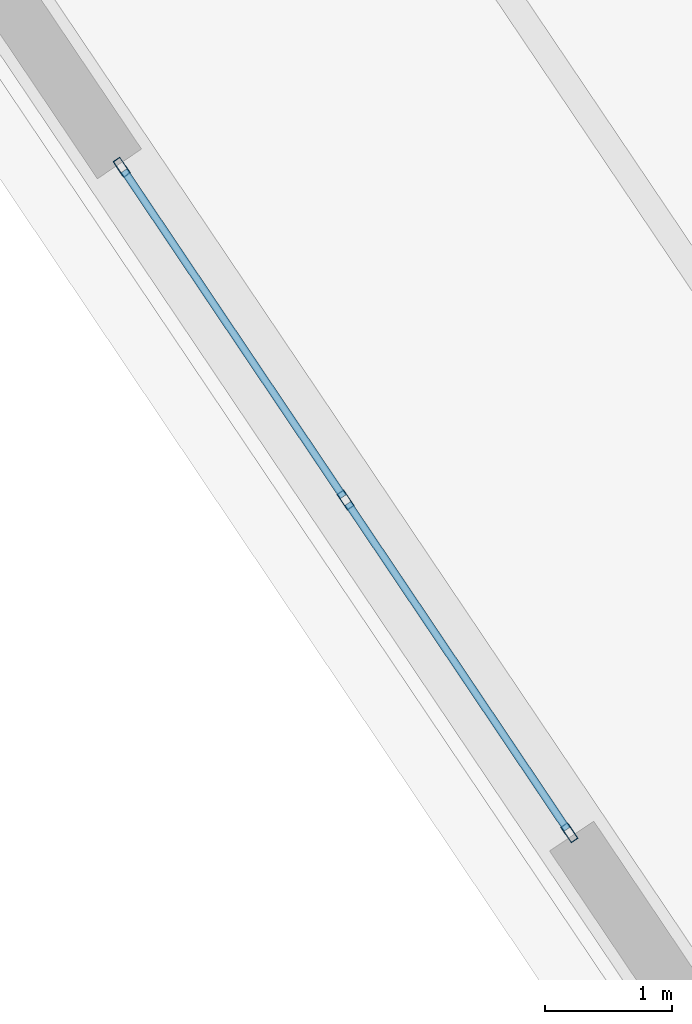
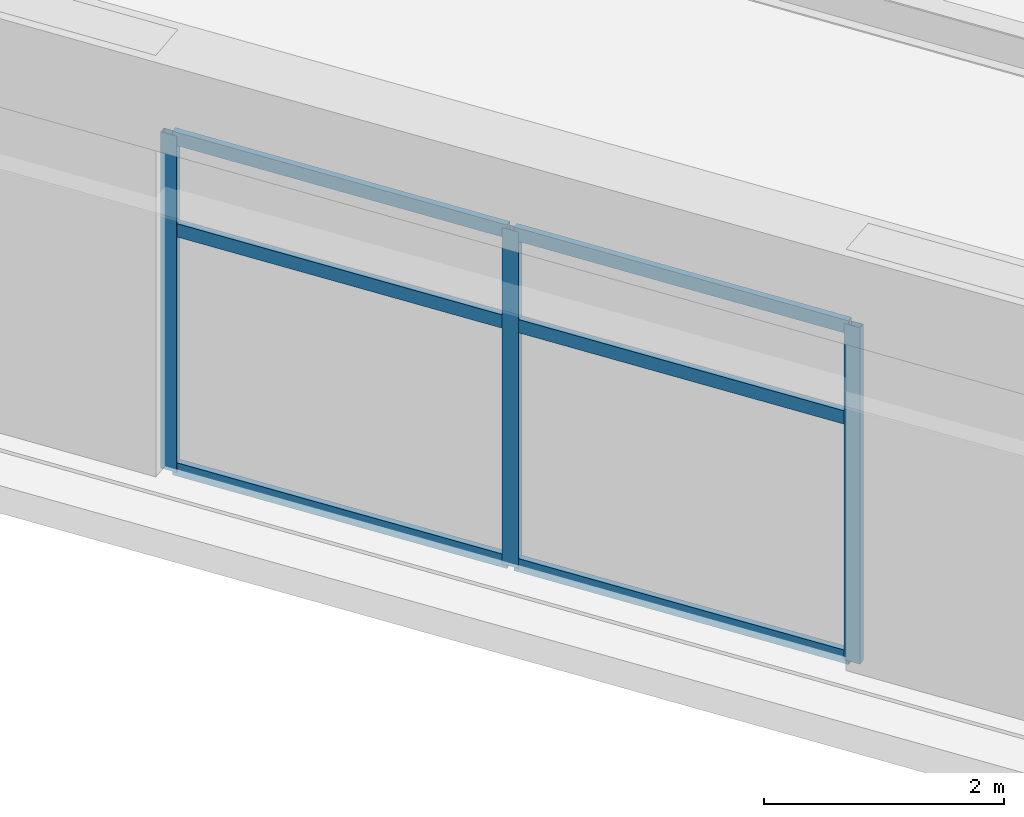
# One storey, part 2 of 30: 9 members, 1 element without a shape of its own.
"""IFC4 building model written with IfcOpenShell, lengths in metres."""

from ifc_helpers import new_model, si_unit, direction, frame, origin, origin_2d, place, context, subcontext, project, spatial, hollow_rectangle, extrude, source, transform, mapped, material, layer, layer_set, material_profile, profile_set, type_object, element, aggregate, save


model = new_model("IFC4")

# Units and contexts
model_context = context("Model", 3, precision=1e-05, world=origin(), true_north=direction((0.0, 1.0)))
body_context = subcontext(model_context, "Body", "Model", "MODEL_VIEW")
ifc_project = project(units=[si_unit("LENGTHUNIT", "METRE"), si_unit("AREAUNIT", "SQUARE_METRE"), si_unit("VOLUMEUNIT", "CUBIC_METRE"), si_unit("PLANEANGLEUNIT", "RADIAN"), si_unit("MASSUNIT", "GRAM", prefix="KILO")], contexts=[model_context])

# Site, building, storey
site_placement = place(None, origin())
site = spatial("IfcSite", under=ifc_project, at=site_placement, CompositionType="ELEMENT")
building_placement = place(site_placement, origin())
building = spatial("IfcBuilding", under=site, at=building_placement, Name="Liaohun Quay Tower", CompositionType="ELEMENT")
storey_placement = place(building_placement, frame((0.0, 0.0, 97.5)))
storey = spatial("IfcBuildingStorey", under=building, at=storey_placement, Name="L25", CompositionType="ELEMENT", Elevation=97.5)

# Curtain wall, members
ifc_material_1 = material(Name="Low-rise sky-lobby belvedere curtain wall")
ifc_layer = layer(ifc_material_1, 0.199951171875, Name="Low-rise sky-lobby belvedere curtain wall")
ifc_layer_set = layer_set([ifc_layer], Name="Low-rise sky-lobby belvedere curtain wall")
curtain_wall_type = type_object("IfcCurtainWallType", Name="CW-SKY-L25", PredefinedType="NOTDEFINED", material=ifc_layer_set)
curtain_wall_placement = place(storey_placement, origin())
curtain_wall = element("IfcCurtainWall", 1, at=curtain_wall_placement, inside=storey, type_object=curtain_wall_type, Name="L25 Panoramic Belvedere Curtain Wall 06", PredefinedType="NOTDEFINED")
ifc_material_2 = material(Name="Anodised aluminium 6063-T6", Category="aluminium")
ifc_material_profile_1 = material_profile(ifc_material_2, hollow_rectangle(XDim=0.06494140625, YDim=0.14990234375, WallThickness=0.00390625, at=origin_2d()), Name="RHS150x65x4")
ifc_profile_set_1 = profile_set([ifc_material_profile_1], Name="Anodised aluminium 6063-T6")
member_type_1 = type_object("IfcMemberType", Name="MEM-CWM-SKY", PredefinedType="MULLION", material=ifc_profile_set_1)
shared_shape_1 = source(origin(), body_context, "Body", "SweptSolid", [
    extrude(hollow_rectangle(XDim=0.06494140625, YDim=0.14990234375, WallThickness=0.00390625, at=origin_2d()), origin(), (0.0, 0.0, 1.0), 3.419921875),
])
member_1_placement = place(storey_placement, frame((44.22216796875, 28.94091796875, 0.0), z_axis=(0.0, 0.0, 1.0), x_axis=(0.829711586011, 0.558192336063, 0.0)))
member_1 = element("IfcMember", 2, at=member_1_placement, type_object=member_type_1, Name="CW3 mullion 1", PredefinedType="MULLION", context=body_context, shape_type="MappedRepresentation", body=[
    mapped(shared_shape_1, transform((0.0, 0.0, 0.0), x_axis=(1.0, 0.0, 0.0), y_axis=(0.0, 1.0, 0.0), z_axis=(0.0, 0.0, 1.0), scale=1.0)),
])
member_2_placement = place(storey_placement, frame((45.990478515625, 26.3125, 0.0), z_axis=(0.0, 0.0, 1.0), x_axis=(0.829711586011, 0.558192336063, 0.0)))
member_2 = element("IfcMember", 3, at=member_2_placement, type_object=member_type_1, Name="CW3 mullion 2", PredefinedType="MULLION", context=body_context, shape_type="MappedRepresentation", body=[
    mapped(shared_shape_1, transform((0.0, 0.0, 0.0), x_axis=(1.0, 0.0, 0.0), y_axis=(0.0, 1.0, 0.0), z_axis=(0.0, 0.0, 1.0), scale=1.0)),
])
member_3_placement = place(storey_placement, frame((47.7587890625, 23.68408203125, 0.0), z_axis=(0.0, 0.0, 1.0), x_axis=(0.829711586011, 0.558192336063, 0.0)))
member_3 = element("IfcMember", 4, at=member_3_placement, type_object=member_type_1, Name="CW3 mullion 3", PredefinedType="MULLION", context=body_context, shape_type="MappedRepresentation", body=[
    mapped(shared_shape_1, transform((0.0, 0.0, 0.0), x_axis=(1.0, 0.0, 0.0), y_axis=(0.0, 1.0, 0.0), z_axis=(0.0, 0.0, 1.0), scale=1.0)),
])
ifc_material_profile_2 = material_profile(ifc_material_2, hollow_rectangle(XDim=0.06005859375, YDim=0.135009765625, WallThickness=0.00390625, at=origin_2d()), Name="RHS135x60x4")
ifc_profile_set_2 = profile_set([ifc_material_profile_2], Name="Anodised aluminium 6063-T6")
member_type_2 = type_object("IfcMemberType", Name="MEM-CWT-SKY", PredefinedType="USERDEFINED", material=ifc_profile_set_2)
shared_shape_2 = source(origin(), body_context, "Body", "SweptSolid", [
    extrude(hollow_rectangle(XDim=0.06005859375, YDim=0.135009765625, WallThickness=0.00390625, at=origin_2d()), origin(), (0.0, 0.0, 1.0), 3.103271484375),
])
member_4_placement = place(storey_placement, frame((44.240234375, 28.9140625, 0.030029296875), z_axis=(0.558199342066, -0.829706872647, 0.0), x_axis=(0.829706872647, 0.558199342066, 0.0)))
member_4 = element("IfcMember", 5, at=member_4_placement, type_object=member_type_2, Name="CW3 transom 1.1", ObjectType="TRANSOM", PredefinedType="USERDEFINED", context=body_context, shape_type="MappedRepresentation", body=[
    mapped(shared_shape_2, transform((0.0, 0.0, 0.0), x_axis=(1.0, 0.0, 0.0), y_axis=(0.0, 1.0, 0.0), z_axis=(0.0, 0.0, 1.0), scale=1.0)),
])
member_5_placement = place(storey_placement, frame((44.240234375, 28.9140625, 2.4619140625), z_axis=(0.558199342066, -0.829706872647, 0.0), x_axis=(0.829706872647, 0.558199342066, 0.0)))
member_5 = element("IfcMember", 6, at=member_5_placement, type_object=member_type_2, Name="CW3 transom 1.2", ObjectType="TRANSOM", PredefinedType="USERDEFINED", context=body_context, shape_type="MappedRepresentation", body=[
    mapped(shared_shape_2, transform((0.0, 0.0, 0.0), x_axis=(1.0, 0.0, 0.0), y_axis=(0.0, 1.0, 0.0), z_axis=(0.0, 0.0, 1.0), scale=1.0)),
])
member_6_placement = place(storey_placement, frame((44.240234375, 28.9140625, 3.389892578125), z_axis=(0.558199342066, -0.829706872647, 0.0), x_axis=(0.829706872647, 0.558199342066, 0.0)))
member_6 = element("IfcMember", 7, at=member_6_placement, type_object=member_type_2, Name="CW3 transom 1.3", ObjectType="TRANSOM", PredefinedType="USERDEFINED", context=body_context, shape_type="MappedRepresentation", body=[
    mapped(shared_shape_2, transform((0.0, 0.0, 0.0), x_axis=(1.0, 0.0, 0.0), y_axis=(0.0, 1.0, 0.0), z_axis=(0.0, 0.0, 1.0), scale=1.0)),
])
member_7_placement = place(storey_placement, frame((46.008544921875, 26.28564453125, 0.030029296875), z_axis=(0.558199342066, -0.829706872647, 0.0), x_axis=(0.829706872647, 0.558199342066, 0.0)))
member_7 = element("IfcMember", 8, at=member_7_placement, type_object=member_type_2, Name="CW3 transom 2.1", ObjectType="TRANSOM", PredefinedType="USERDEFINED", context=body_context, shape_type="MappedRepresentation", body=[
    mapped(shared_shape_2, transform((0.0, 0.0, 0.0), x_axis=(1.0, 0.0, 0.0), y_axis=(0.0, 1.0, 0.0), z_axis=(0.0, 0.0, 1.0), scale=1.0)),
])
member_8_placement = place(storey_placement, frame((46.008544921875, 26.28564453125, 2.4619140625), z_axis=(0.558199342066, -0.829706872647, 0.0), x_axis=(0.829706872647, 0.558199342066, 0.0)))
member_8 = element("IfcMember", 9, at=member_8_placement, type_object=member_type_2, Name="CW3 transom 2.2", ObjectType="TRANSOM", PredefinedType="USERDEFINED", context=body_context, shape_type="MappedRepresentation", body=[
    mapped(shared_shape_2, transform((0.0, 0.0, 0.0), x_axis=(1.0, 0.0, 0.0), y_axis=(0.0, 1.0, 0.0), z_axis=(0.0, 0.0, 1.0), scale=1.0)),
])
member_9_placement = place(storey_placement, frame((46.008544921875, 26.28564453125, 3.389892578125), z_axis=(0.558199342066, -0.829706872647, 0.0), x_axis=(0.829706872647, 0.558199342066, 0.0)))
member_9 = element("IfcMember", 10, at=member_9_placement, type_object=member_type_2, Name="CW3 transom 2.3", ObjectType="TRANSOM", PredefinedType="USERDEFINED", context=body_context, shape_type="MappedRepresentation", body=[
    mapped(shared_shape_2, transform((0.0, 0.0, 0.0), x_axis=(1.0, 0.0, 0.0), y_axis=(0.0, 1.0, 0.0), z_axis=(0.0, 0.0, 1.0), scale=1.0)),
])
aggregate(curtain_wall, [member_1, member_2, member_3, member_4, member_5, member_6, member_7, member_8, member_9])

save(model, "model.ifc")
